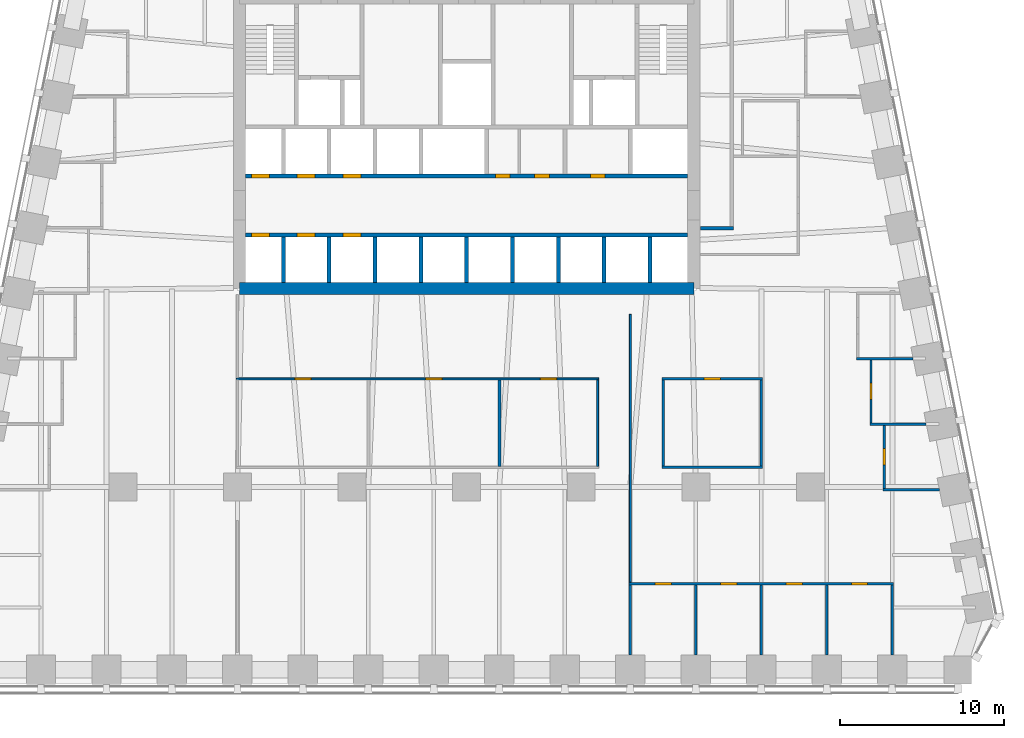
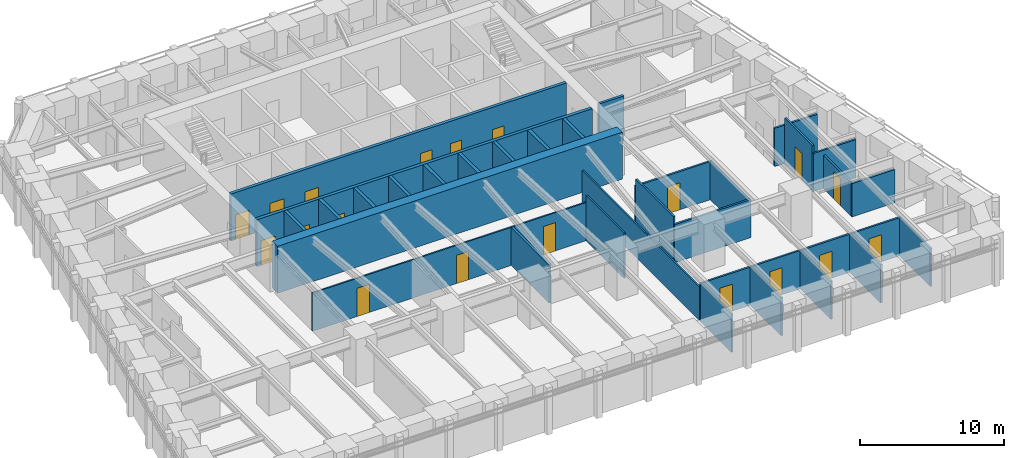
# One storey, part 6 of 10: 32 walls, 19 doors, 19 openings.
"""IFC4 building model written with IfcOpenShell, lengths in metres."""

from ifc_helpers import new_model, si_unit, direction, frame, frame_2d, origin, place, context, subcontext, project, spatial, rectangle, extrude, material, layer, layer_set, type_object, element, fill, save


model = new_model("IFC4")

# Units and contexts
model_context = context("Model", 3, precision=1e-05, world=origin(), true_north=direction((0.0, 1.0)))
body_context = subcontext(model_context, "Body", "Model", "MODEL_VIEW")
ifc_project = project(units=[si_unit("LENGTHUNIT", "METRE"), si_unit("AREAUNIT", "SQUARE_METRE"), si_unit("VOLUMEUNIT", "CUBIC_METRE"), si_unit("PLANEANGLEUNIT", "RADIAN"), si_unit("MASSUNIT", "GRAM", prefix="KILO")], contexts=[model_context])

# Site, building, storey
site_placement = place(None, origin())
site = spatial("IfcSite", under=ifc_project, at=site_placement, CompositionType="ELEMENT")
building_placement = place(site_placement, origin())
building = spatial("IfcBuilding", under=site, at=building_placement, Name="Isbrekke Arena Tower", CompositionType="ELEMENT")
storey_placement = place(building_placement, frame((0.0, 0.0, 159.0)))
storey = spatial("IfcBuildingStorey", under=building, at=storey_placement, Name="L36", CompositionType="ELEMENT", Elevation=159.0)

# Wall
ifc_material_1 = material(Name="Concrete B55 (C55/67)", Category="concrete")
ifc_layer_1 = layer(ifc_material_1, 0.75)
ifc_layer_set_1 = layer_set([ifc_layer_1], Name="CW3 CORE WALL 750")
wall_type_1 = type_object("IfcWallType", Name="CW3 CORE WALL 750", PredefinedType="SHEAR", material=ifc_layer_set_1)
wall_1_placement = place(storey_placement, frame((-13.875, 6.125, 0.0), z_axis=(0.0, 0.0, 1.0), x_axis=(1.0, 0.0, 0.0)))
element("IfcWall", 1, at=wall_1_placement, inside=storey, type_object=wall_type_1, Name="Core wall S L36", PredefinedType="SHEAR", context=body_context, shape_type="SweptSolid", body=[
    extrude(rectangle(XDim=27.75, YDim=0.75, at=frame_2d((13.875, 0.0))), origin(), (0.0, 0.0, 1.0), 4.0),
])

# Wall, openings, doors
ifc_material_2 = material(Name="Concrete B45 (C45/55)", Category="concrete")
ifc_layer_2 = layer(ifc_material_2, 0.25)
ifc_layer_set_2 = layer_set([ifc_layer_2], Name="CW6 SHAFT WALL 250")
wall_type_2 = type_object("IfcWallType", Name="CW6 SHAFT WALL 250", PredefinedType="SHEAR", material=ifc_layer_set_2)
wall_2_placement = place(storey_placement, frame((-13.5, 9.39990234375, 0.0), z_axis=(0.0, 0.0, 1.0), x_axis=(1.0, 0.0, 0.0)))
wall_2 = element("IfcWall", 2, at=wall_2_placement, inside=storey, type_object=wall_type_2, Name="Core wall LS L36", PredefinedType="SHEAR", context=body_context, shape_type="SweptSolid", body=[
    extrude(rectangle(XDim=27.0, YDim=0.25, at=frame_2d((13.5, 0.0))), origin(), (0.0, 0.0, 1.0), 4.0),
])
opening_1_placement = place(wall_2_placement, frame((0.35009765625, 0.0, 0.0)))
opening_1 = element("IfcOpeningElement", 3, at=opening_1_placement, cuts=wall_2, Name="Opening LD1", PredefinedType="OPENING", context=body_context, shape_type="SweptSolid", body=[
    extrude(rectangle(XDim=1.10009765625, YDim=2.10009765625, at=frame_2d((0.550048828125, 1.050048828125))), frame((0.0, 0.139892578125, 0.0), z_axis=(0.0, -1.0, 0.0), x_axis=(1.0, 0.0, 0.0)), (0.0, 0.0, 1.0), 0.27978515625),
])
opening_2_placement = place(wall_2_placement, frame((3.14990234375, 0.0, 0.0)))
opening_2 = element("IfcOpeningElement", 4, at=opening_2_placement, cuts=wall_2, Name="Opening LD1", PredefinedType="OPENING", context=body_context, shape_type="SweptSolid", body=[
    extrude(rectangle(XDim=1.10009765625, YDim=2.10009765625, at=frame_2d((0.550048828125, 1.050048828125))), frame((0.0, 0.139892578125, 0.0), z_axis=(0.0, -1.0, 0.0), x_axis=(1.0, 0.0, 0.0)), (0.0, 0.0, 1.0), 0.27978515625),
])
opening_3_placement = place(wall_2_placement, frame((5.949951171875, 0.0, 0.0)))
opening_3 = element("IfcOpeningElement", 5, at=opening_3_placement, cuts=wall_2, Name="Opening LD1", PredefinedType="OPENING", context=body_context, shape_type="SweptSolid", body=[
    extrude(rectangle(XDim=1.10009765625, YDim=2.10009765625, at=frame_2d((0.550048828125, 1.050048828125))), frame((0.0, 0.139892578125, 0.0), z_axis=(0.0, -1.0, 0.0), x_axis=(1.0, 0.0, 0.0)), (0.0, 0.0, 1.0), 0.27978515625),
])
ifc_material_3 = material(Name="Stainless steel lift landing door", Category="steel")
door_type_1 = type_object("IfcDoorType", Name="LD1 LIFT LANDING DOOR 1100 x 2100", OperationType="SLIDING_TO_LEFT", PredefinedType="DOOR", material=ifc_material_3)
door_1_placement = place(opening_1_placement, origin())
door_1 = element("IfcDoor", 6, at=door_1_placement, inside=storey, type_object=door_type_1, Name="LD1 lift landing door LB L36", OperationType="SLIDING_TO_LEFT", OverallHeight=2.10009765625, OverallWidth=1.10009765625, PredefinedType="DOOR", context=body_context, shape_type="SweptSolid", body=[
    extrude(rectangle(XDim=1.10009765625, YDim=2.10009765625, at=frame_2d((0.550048828125, 1.050048828125))), frame((0.0, 0.124755859375, 0.0), z_axis=(0.0, -1.0, 0.0), x_axis=(1.0, 0.0, 0.0)), (0.0, 0.0, 1.0), 0.24951171875),
])
fill(opening_1, door_1)
door_2_placement = place(opening_2_placement, origin())
door_2 = element("IfcDoor", 7, at=door_2_placement, inside=storey, type_object=door_type_1, Name="LD1 lift landing door LB L36", OperationType="SLIDING_TO_LEFT", OverallHeight=2.10009765625, OverallWidth=1.10009765625, PredefinedType="DOOR", context=body_context, shape_type="SweptSolid", body=[
    extrude(rectangle(XDim=1.10009765625, YDim=2.10009765625, at=frame_2d((0.550048828125, 1.050048828125))), frame((0.0, 0.124755859375, 0.0), z_axis=(0.0, -1.0, 0.0), x_axis=(1.0, 0.0, 0.0)), (0.0, 0.0, 1.0), 0.24951171875),
])
fill(opening_2, door_2)
door_3_placement = place(opening_3_placement, origin())
door_3 = element("IfcDoor", 8, at=door_3_placement, inside=storey, type_object=door_type_1, Name="LD1 lift landing door LB L36", OperationType="SLIDING_TO_LEFT", OverallHeight=2.10009765625, OverallWidth=1.10009765625, PredefinedType="DOOR", context=body_context, shape_type="SweptSolid", body=[
    extrude(rectangle(XDim=1.10009765625, YDim=2.10009765625, at=frame_2d((0.550048828125, 1.050048828125))), frame((0.0, 0.124755859375, 0.0), z_axis=(0.0, -1.0, 0.0), x_axis=(1.0, 0.0, 0.0)), (0.0, 0.0, 1.0), 0.24951171875),
])
fill(opening_3, door_3)

wall_3_placement = place(storey_placement, frame((-13.5, 13.0, 0.0), z_axis=(0.0, 0.0, 1.0), x_axis=(1.0, 0.0, 0.0)))
wall_3 = element("IfcWall", 9, at=wall_3_placement, inside=storey, type_object=wall_type_2, Name="Core wall LN L36", PredefinedType="SHEAR", context=body_context, shape_type="SweptSolid", body=[
    extrude(rectangle(XDim=27.0, YDim=0.25, at=frame_2d((13.5, 0.0))), origin(), (0.0, 0.0, 1.0), 4.0),
])
opening_4_placement = place(wall_3_placement, frame((0.35009765625, 0.0, 0.0)))
opening_4 = element("IfcOpeningElement", 10, at=opening_4_placement, cuts=wall_3, Name="Opening LD1", PredefinedType="OPENING", context=body_context, shape_type="SweptSolid", body=[
    extrude(rectangle(XDim=1.10009765625, YDim=2.10009765625, at=frame_2d((0.550048828125, 1.050048828125))), frame((0.0, 0.139892578125, 0.0), z_axis=(0.0, -1.0, 0.0), x_axis=(1.0, 0.0, 0.0)), (0.0, 0.0, 1.0), 0.27978515625),
])
opening_5_placement = place(wall_3_placement, frame((3.14990234375, 0.0, 0.0)))
opening_5 = element("IfcOpeningElement", 11, at=opening_5_placement, cuts=wall_3, Name="Opening LD1", PredefinedType="OPENING", context=body_context, shape_type="SweptSolid", body=[
    extrude(rectangle(XDim=1.10009765625, YDim=2.10009765625, at=frame_2d((0.550048828125, 1.050048828125))), frame((0.0, 0.139892578125, 0.0), z_axis=(0.0, -1.0, 0.0), x_axis=(1.0, 0.0, 0.0)), (0.0, 0.0, 1.0), 0.27978515625),
])
opening_6_placement = place(wall_3_placement, frame((5.949951171875, 0.0, 0.0)))
opening_6 = element("IfcOpeningElement", 12, at=opening_6_placement, cuts=wall_3, Name="Opening LD1", PredefinedType="OPENING", context=body_context, shape_type="SweptSolid", body=[
    extrude(rectangle(XDim=1.10009765625, YDim=2.10009765625, at=frame_2d((0.550048828125, 1.050048828125))), frame((0.0, 0.139892578125, 0.0), z_axis=(0.0, -1.0, 0.0), x_axis=(1.0, 0.0, 0.0)), (0.0, 0.0, 1.0), 0.27978515625),
])
opening_7_placement = place(wall_3_placement, frame((15.25, 0.0, 0.0)))
opening_7 = element("IfcOpeningElement", 13, at=opening_7_placement, cuts=wall_3, Name="Opening D5", PredefinedType="OPENING", context=body_context, shape_type="SweptSolid", body=[
    extrude(rectangle(XDim=0.89990234375, YDim=2.10009765625, at=frame_2d((0.449951171875, 1.050048828125))), frame((0.0, 0.139892578125, 0.0), z_axis=(0.0, -1.0, 0.0), x_axis=(1.0, 0.0, 0.0)), (0.0, 0.0, 1.0), 0.27978515625),
])
opening_8_placement = place(wall_3_placement, frame((17.64990234375, 0.0, 0.0)))
opening_8 = element("IfcOpeningElement", 14, at=opening_8_placement, cuts=wall_3, Name="Opening D5", PredefinedType="OPENING", context=body_context, shape_type="SweptSolid", body=[
    extrude(rectangle(XDim=0.89990234375, YDim=2.10009765625, at=frame_2d((0.449951171875, 1.050048828125))), frame((0.0, 0.139892578125, 0.0), z_axis=(0.0, -1.0, 0.0), x_axis=(1.0, 0.0, 0.0)), (0.0, 0.0, 1.0), 0.27978515625),
])
opening_9_placement = place(wall_3_placement, frame((21.050048828125, 0.0, 0.0)))
opening_9 = element("IfcOpeningElement", 15, at=opening_9_placement, cuts=wall_3, Name="Opening D5", PredefinedType="OPENING", context=body_context, shape_type="SweptSolid", body=[
    extrude(rectangle(XDim=0.89990234375, YDim=2.10009765625, at=frame_2d((0.449951171875, 1.050048828125))), frame((0.0, 0.139892578125, 0.0), z_axis=(0.0, -1.0, 0.0), x_axis=(1.0, 0.0, 0.0)), (0.0, 0.0, 1.0), 0.27978515625),
])
ifc_material_4 = material(Name="Steel fire door", Category="steel")
door_type_2 = type_object("IfcDoorType", Name="D5 SERVICE DOOR 900 x 2100", OperationType="SINGLE_SWING_LEFT", PredefinedType="DOOR", material=ifc_material_4)
door_4_placement = place(opening_7_placement, origin())
door_4 = element("IfcDoor", 16, at=door_4_placement, inside=storey, type_object=door_type_2, Name="D5 cleaner's store door L36", OperationType="SINGLE_SWING_LEFT", OverallHeight=2.10009765625, OverallWidth=0.89990234375, PredefinedType="DOOR", context=body_context, shape_type="SweptSolid", body=[
    extrude(rectangle(XDim=0.89990234375, YDim=2.10009765625, at=frame_2d((0.449951171875, 1.050048828125))), frame((0.0, 0.124755859375, 0.0), z_axis=(0.0, -1.0, 0.0), x_axis=(1.0, 0.0, 0.0)), (0.0, 0.0, 1.0), 0.24951171875),
])
fill(opening_7, door_4)
door_5_placement = place(opening_8_placement, origin())
door_5 = element("IfcDoor", 17, at=door_5_placement, inside=storey, type_object=door_type_2, Name="D5 tea point door L36", OperationType="SINGLE_SWING_LEFT", OverallHeight=2.10009765625, OverallWidth=0.89990234375, PredefinedType="DOOR", context=body_context, shape_type="SweptSolid", body=[
    extrude(rectangle(XDim=0.89990234375, YDim=2.10009765625, at=frame_2d((0.449951171875, 1.050048828125))), frame((0.0, 0.124755859375, 0.0), z_axis=(0.0, -1.0, 0.0), x_axis=(1.0, 0.0, 0.0)), (0.0, 0.0, 1.0), 0.24951171875),
])
fill(opening_8, door_5)
door_6_placement = place(opening_9_placement, origin())
door_6 = element("IfcDoor", 18, at=door_6_placement, inside=storey, type_object=door_type_2, Name="D5 communications room door L36", OperationType="SINGLE_SWING_LEFT", OverallHeight=2.10009765625, OverallWidth=0.89990234375, PredefinedType="DOOR", context=body_context, shape_type="SweptSolid", body=[
    extrude(rectangle(XDim=0.89990234375, YDim=2.10009765625, at=frame_2d((0.449951171875, 1.050048828125))), frame((0.0, 0.124755859375, 0.0), z_axis=(0.0, -1.0, 0.0), x_axis=(1.0, 0.0, 0.0)), (0.0, 0.0, 1.0), 0.24951171875),
])
fill(opening_9, door_6)
door_7_placement = place(opening_4_placement, origin())
door_7 = element("IfcDoor", 19, at=door_7_placement, inside=storey, type_object=door_type_1, Name="LD1 lift landing door LB L36", OperationType="SLIDING_TO_LEFT", OverallHeight=2.10009765625, OverallWidth=1.10009765625, PredefinedType="DOOR", context=body_context, shape_type="SweptSolid", body=[
    extrude(rectangle(XDim=1.10009765625, YDim=2.10009765625, at=frame_2d((0.550048828125, 1.050048828125))), frame((0.0, 0.124755859375, 0.0), z_axis=(0.0, -1.0, 0.0), x_axis=(1.0, 0.0, 0.0)), (0.0, 0.0, 1.0), 0.24951171875),
])
fill(opening_4, door_7)
door_8_placement = place(opening_5_placement, origin())
door_8 = element("IfcDoor", 20, at=door_8_placement, inside=storey, type_object=door_type_1, Name="LD1 lift landing door LB L36", OperationType="SLIDING_TO_LEFT", OverallHeight=2.10009765625, OverallWidth=1.10009765625, PredefinedType="DOOR", context=body_context, shape_type="SweptSolid", body=[
    extrude(rectangle(XDim=1.10009765625, YDim=2.10009765625, at=frame_2d((0.550048828125, 1.050048828125))), frame((0.0, 0.124755859375, 0.0), z_axis=(0.0, -1.0, 0.0), x_axis=(1.0, 0.0, 0.0)), (0.0, 0.0, 1.0), 0.24951171875),
])
fill(opening_5, door_8)
door_9_placement = place(opening_6_placement, origin())
door_9 = element("IfcDoor", 21, at=door_9_placement, inside=storey, type_object=door_type_1, Name="LD1 lift landing door LB L36", OperationType="SLIDING_TO_LEFT", OverallHeight=2.10009765625, OverallWidth=1.10009765625, PredefinedType="DOOR", context=body_context, shape_type="SweptSolid", body=[
    extrude(rectangle(XDim=1.10009765625, YDim=2.10009765625, at=frame_2d((0.550048828125, 1.050048828125))), frame((0.0, 0.124755859375, 0.0), z_axis=(0.0, -1.0, 0.0), x_axis=(1.0, 0.0, 0.0)), (0.0, 0.0, 1.0), 0.24951171875),
])
fill(opening_6, door_9)

# Walls
for number, where, z_axis, x_axis, name in (
    (22, (-11.199951171875, 6.5, 0.0), (0.0, 0.0, 1.0), (0.0, 1.0, 0.0), "Core wall SS01 L36"),
    (23, (-8.39990234375, 6.5, 0.0), (0.0, 0.0, 1.0), (0.0, 1.0, 0.0), "Core wall SS02 L36"),
    (24, (-5.60009765625, 6.5, 0.0), (0.0, 0.0, 1.0), (0.0, 1.0, 0.0), "Core wall SS03 L36"),
    (25, (-2.800048828125, 6.5, 0.0), (0.0, 0.0, 1.0), (0.0, 1.0, 0.0), "Core wall SS04 L36"),
    (26, (0.0, 6.5, 0.0), (0.0, 0.0, 1.0), (0.0, 1.0, 0.0), "Core wall SS05 L36"),
    (27, (2.800048828125, 6.5, 0.0), (0.0, 0.0, 1.0), (0.0, 1.0, 0.0), "Core wall SS06 L36"),
    (28, (5.60009765625, 6.5, 0.0), (0.0, 0.0, 1.0), (0.0, 1.0, 0.0), "Core wall SS07 L36"),
    (29, (8.39990234375, 6.5, 0.0), (0.0, 0.0, 1.0), (0.0, 1.0, 0.0), "Core wall SS08 L36"),
    (30, (11.199951171875, 6.5, 0.0), (0.0, 0.0, 1.0), (0.0, 1.0, 0.0), "Core wall SS09 L36"),
):
    element("IfcWall", number, at=place(storey_placement, frame(where, z_axis=z_axis, x_axis=x_axis)), inside=storey, type_object=wall_type_2, Name=name, PredefinedType="SHEAR", context=body_context, shape_type="SweptSolid", body=[
        extrude(rectangle(XDim=2.77490234375, YDim=0.25, at=frame_2d((1.387451171875, 0.0))), origin(), (0.0, 0.0, 1.0), 4.0),
    ])

# Wall, openings, doors
ifc_material_5 = material(Name="Gypsum board partition on steel studs", Category="steel")
ifc_layer_3 = layer(ifc_material_5, 0.14990234375)
ifc_layer_set_3 = layer_set([ifc_layer_3], Name="IW1 PARTITION 150")
wall_type_3 = type_object("IfcWallType", Name="IW1 PARTITION 150", PredefinedType="PARTITIONING", material=ifc_layer_set_3)
wall_4_placement = place(storey_placement, frame((9.925048828125, -11.89990234375, 0.0), z_axis=(0.0, 0.0, 1.0), x_axis=(1.0, 0.0, 0.0)))
wall_4 = element("IfcWall", 31, at=wall_4_placement, inside=storey, type_object=wall_type_3, Name="IW1 partition 150 L36", PredefinedType="PARTITIONING", context=body_context, shape_type="SweptSolid", body=[
    extrude(rectangle(XDim=16.14990234375, YDim=0.14990234375, at=frame_2d((8.074951171875, 0.0))), origin(), (0.0, 0.0, 1.0), 3.25),
])
opening_10_placement = place(wall_4_placement, frame((1.574951171875, 0.0, 0.0)))
opening_10 = element("IfcOpeningElement", 32, at=opening_10_placement, cuts=wall_4, Name="Opening D10", PredefinedType="OPENING", context=body_context, shape_type="SweptSolid", body=[
    extrude(rectangle(XDim=1.0, YDim=2.300048828125, at=frame_2d((0.5, 1.14990234375))), frame((0.0, 0.08984375, 0.0), z_axis=(0.0, -1.0, 0.0), x_axis=(1.0, 0.0, 0.0)), (0.0, 0.0, 1.0), 0.1796875),
])
opening_11_placement = place(wall_4_placement, frame((5.574951171875, 0.0, 0.0)))
opening_11 = element("IfcOpeningElement", 33, at=opening_11_placement, cuts=wall_4, Name="Opening D10", PredefinedType="OPENING", context=body_context, shape_type="SweptSolid", body=[
    extrude(rectangle(XDim=1.0, YDim=2.300048828125, at=frame_2d((0.5, 1.14990234375))), frame((0.0, 0.08984375, 0.0), z_axis=(0.0, -1.0, 0.0), x_axis=(1.0, 0.0, 0.0)), (0.0, 0.0, 1.0), 0.1796875),
])
opening_12_placement = place(wall_4_placement, frame((9.574951171875, 0.0, 0.0)))
opening_12 = element("IfcOpeningElement", 34, at=opening_12_placement, cuts=wall_4, Name="Opening D10", PredefinedType="OPENING", context=body_context, shape_type="SweptSolid", body=[
    extrude(rectangle(XDim=1.0, YDim=2.300048828125, at=frame_2d((0.5, 1.14990234375))), frame((0.0, 0.08984375, 0.0), z_axis=(0.0, -1.0, 0.0), x_axis=(1.0, 0.0, 0.0)), (0.0, 0.0, 1.0), 0.1796875),
])
opening_13_placement = place(wall_4_placement, frame((13.574951171875, 0.0, 0.0)))
opening_13 = element("IfcOpeningElement", 35, at=opening_13_placement, cuts=wall_4, Name="Opening D10", PredefinedType="OPENING", context=body_context, shape_type="SweptSolid", body=[
    extrude(rectangle(XDim=1.0, YDim=2.300048828125, at=frame_2d((0.5, 1.14990234375))), frame((0.0, 0.08984375, 0.0), z_axis=(0.0, -1.0, 0.0), x_axis=(1.0, 0.0, 0.0)), (0.0, 0.0, 1.0), 0.1796875),
])
ifc_material_6 = material(Name="Timber door", Category="wood")
door_type_3 = type_object("IfcDoorType", Name="D10 OFFICE DOOR 1000 x 2300", OperationType="SINGLE_SWING_LEFT", PredefinedType="DOOR", material=ifc_material_6)
door_10_placement = place(opening_10_placement, origin())
door_10 = element("IfcDoor", 36, at=door_10_placement, inside=storey, type_object=door_type_3, Name="D10 office door L36", OperationType="SINGLE_SWING_LEFT", OverallHeight=2.300048828125, OverallWidth=1.0, PredefinedType="DOOR", context=body_context, shape_type="SweptSolid", body=[
    extrude(rectangle(XDim=1.0, YDim=2.300048828125, at=frame_2d((0.5, 1.14990234375))), frame((0.0, 0.07470703125, 0.0), z_axis=(0.0, -1.0, 0.0), x_axis=(1.0, 0.0, 0.0)), (0.0, 0.0, 1.0), 0.1494140625),
])
fill(opening_10, door_10)
door_11_placement = place(opening_11_placement, origin())
door_11 = element("IfcDoor", 37, at=door_11_placement, inside=storey, type_object=door_type_3, Name="D10 office door L36", OperationType="SINGLE_SWING_LEFT", OverallHeight=2.300048828125, OverallWidth=1.0, PredefinedType="DOOR", context=body_context, shape_type="SweptSolid", body=[
    extrude(rectangle(XDim=1.0, YDim=2.300048828125, at=frame_2d((0.5, 1.14990234375))), frame((0.0, 0.07470703125, 0.0), z_axis=(0.0, -1.0, 0.0), x_axis=(1.0, 0.0, 0.0)), (0.0, 0.0, 1.0), 0.1494140625),
])
fill(opening_11, door_11)
door_12_placement = place(opening_12_placement, origin())
door_12 = element("IfcDoor", 38, at=door_12_placement, inside=storey, type_object=door_type_3, Name="D10 office door L36", OperationType="SINGLE_SWING_LEFT", OverallHeight=2.300048828125, OverallWidth=1.0, PredefinedType="DOOR", context=body_context, shape_type="SweptSolid", body=[
    extrude(rectangle(XDim=1.0, YDim=2.300048828125, at=frame_2d((0.5, 1.14990234375))), frame((0.0, 0.07470703125, 0.0), z_axis=(0.0, -1.0, 0.0), x_axis=(1.0, 0.0, 0.0)), (0.0, 0.0, 1.0), 0.1494140625),
])
fill(opening_12, door_12)
door_13_placement = place(opening_13_placement, origin())
door_13 = element("IfcDoor", 39, at=door_13_placement, inside=storey, type_object=door_type_3, Name="D10 office door L36", OperationType="SINGLE_SWING_LEFT", OverallHeight=2.300048828125, OverallWidth=1.0, PredefinedType="DOOR", context=body_context, shape_type="SweptSolid", body=[
    extrude(rectangle(XDim=1.0, YDim=2.300048828125, at=frame_2d((0.5, 1.14990234375))), frame((0.0, 0.07470703125, 0.0), z_axis=(0.0, -1.0, 0.0), x_axis=(1.0, 0.0, 0.0)), (0.0, 0.0, 1.0), 0.1494140625),
])
fill(opening_13, door_13)

# Walls
wall_5_placement = place(storey_placement, frame((25.425048828125, -6.159912109375, 0.0), z_axis=(0.0, 0.0, 1.0), x_axis=(1.0, 0.0, 0.0)))
element("IfcWall", 40, at=wall_5_placement, inside=storey, type_object=wall_type_3, Name="IW1 partition 150 L36", PredefinedType="PARTITIONING", context=body_context, shape_type="SweptSolid", body=[
    extrude(rectangle(XDim=3.44775390625, YDim=0.14990234375, at=frame_2d((1.723876953125, 0.0))), origin(), (0.0, 0.0, 1.0), 2.842041015625),
])
wall_6_placement = place(storey_placement, frame((11.925048828125, -4.800048828125, 0.0), z_axis=(0.0, 0.0, 1.0), x_axis=(1.0, 0.0, 0.0)))
element("IfcWall", 41, at=wall_6_placement, inside=storey, type_object=wall_type_3, Name="IW1 partition 150 L36", PredefinedType="PARTITIONING", context=body_context, shape_type="SweptSolid", body=[
    extrude(rectangle(XDim=6.14990234375, YDim=0.14990234375, at=frame_2d((3.074951171875, 0.0))), origin(), (0.0, 0.0, 1.0), 3.25),
])
wall_7_placement = place(storey_placement, frame((24.625, -2.159912109375, 0.0), z_axis=(0.0, 0.0, 1.0), x_axis=(1.0, 0.0, 0.0)))
element("IfcWall", 42, at=wall_7_placement, inside=storey, type_object=wall_type_3, Name="IW1 partition 150 L36", PredefinedType="PARTITIONING", context=body_context, shape_type="SweptSolid", body=[
    extrude(rectangle(XDim=3.44775390625, YDim=0.14990234375, at=frame_2d((1.723876953125, 0.0))), origin(), (0.0, 0.0, 1.0), 3.25),
])

# Wall, opening, door
wall_8_placement = place(storey_placement, frame((11.925048828125, 0.60009765625, 0.0), z_axis=(0.0, 0.0, 1.0), x_axis=(1.0, 0.0, 0.0)))
wall_8 = element("IfcWall", 43, at=wall_8_placement, inside=storey, type_object=wall_type_3, Name="IW1 partition 150 L36", PredefinedType="PARTITIONING", context=body_context, shape_type="SweptSolid", body=[
    extrude(rectangle(XDim=6.14990234375, YDim=0.14990234375, at=frame_2d((3.074951171875, 0.0))), origin(), (0.0, 0.0, 1.0), 3.25),
])
opening_14_placement = place(wall_8_placement, frame((2.574951171875, 0.0, 0.0)))
opening_14 = element("IfcOpeningElement", 44, at=opening_14_placement, cuts=wall_8, Name="Opening D10", PredefinedType="OPENING", context=body_context, shape_type="SweptSolid", body=[
    extrude(rectangle(XDim=1.0, YDim=2.300048828125, at=frame_2d((0.5, 1.14990234375))), frame((0.0, 0.08984375, 0.0), z_axis=(0.0, -1.0, 0.0), x_axis=(1.0, 0.0, 0.0)), (0.0, 0.0, 1.0), 0.1796875),
])
door_14_placement = place(opening_14_placement, origin())
door_14 = element("IfcDoor", 45, at=door_14_placement, inside=storey, type_object=door_type_3, Name="D10 pantry door L36", OperationType="SINGLE_SWING_LEFT", OverallHeight=2.300048828125, OverallWidth=1.0, PredefinedType="DOOR", context=body_context, shape_type="SweptSolid", body=[
    extrude(rectangle(XDim=1.0, YDim=2.300048828125, at=frame_2d((0.5, 1.14990234375))), frame((0.0, 0.07470703125, 0.0), z_axis=(0.0, -1.0, 0.0), x_axis=(1.0, 0.0, 0.0)), (0.0, 0.0, 1.0), 0.1494140625),
])
fill(opening_14, door_14)

# Walls
wall_9_placement = place(storey_placement, frame((23.824951171875, 1.840087890625, 0.0), z_axis=(0.0, 0.0, 1.0), x_axis=(1.0, 0.0, 0.0)))
element("IfcWall", 46, at=wall_9_placement, inside=storey, type_object=wall_type_3, Name="IW1 partition 150 L36", PredefinedType="PARTITIONING", context=body_context, shape_type="SweptSolid", body=[
    extrude(rectangle(XDim=3.44775390625, YDim=0.14990234375, at=frame_2d((1.723876953125, 0.0))), origin(), (0.0, 0.0, 1.0), 3.25),
])
wall_10_placement = place(storey_placement, frame((10.0, -16.27490234375, 0.0), z_axis=(0.0, 0.0, 1.0), x_axis=(0.0, 1.0, 0.0)))
element("IfcWall", 47, at=wall_10_placement, inside=storey, type_object=wall_type_3, Name="IW1 partition 150 L36", PredefinedType="PARTITIONING", context=body_context, shape_type="SweptSolid", body=[
    extrude(rectangle(XDim=4.2998046875, YDim=0.14990234375, at=frame_2d((2.14990234375, 0.0))), origin(), (0.0, 0.0, 1.0), 3.25),
])
wall_11_placement = place(storey_placement, frame((12.0, -4.72509765625, 0.0), z_axis=(0.0, 0.0, 1.0), x_axis=(0.0, 1.0, 0.0)))
element("IfcWall", 48, at=wall_11_placement, inside=storey, type_object=wall_type_3, Name="IW1 partition 150 L36", PredefinedType="PARTITIONING", context=body_context, shape_type="SweptSolid", body=[
    extrude(rectangle(XDim=5.25, YDim=0.14990234375, at=frame_2d((2.625, 0.0))), origin(), (0.0, 0.0, 1.0), 3.85009765625),
])
for number, where, z_axis, x_axis, name in (
    (49, (14.0, -16.27490234375, 0.0), (0.0, 0.0, 1.0), (0.0, 1.0, 0.0), "IW1 partition 150 L36"),
    (50, (18.0, -16.27490234375, 0.0), (0.0, 0.0, 1.0), (0.0, 1.0, 0.0), "IW1 partition 150 L36"),
):
    element("IfcWall", number, at=place(storey_placement, frame(where, z_axis=z_axis, x_axis=x_axis)), inside=storey, type_object=wall_type_3, Name=name, PredefinedType="PARTITIONING", context=body_context, shape_type="SweptSolid", body=[
        extrude(rectangle(XDim=4.2998046875, YDim=0.14990234375, at=frame_2d((2.14990234375, 0.0))), origin(), (0.0, 0.0, 1.0), 3.25),
    ])
wall_12_placement = place(storey_placement, frame((18.0, -4.72509765625, 0.0), z_axis=(0.0, 0.0, 1.0), x_axis=(0.0, 1.0, 0.0)))
element("IfcWall", 51, at=wall_12_placement, inside=storey, type_object=wall_type_3, Name="IW1 partition 150 L36", PredefinedType="PARTITIONING", context=body_context, shape_type="SweptSolid", body=[
    extrude(rectangle(XDim=5.25, YDim=0.14990234375, at=frame_2d((2.625, 0.0))), origin(), (0.0, 0.0, 1.0), 3.25),
])
wall_13_placement = place(storey_placement, frame((22.0, -16.27490234375, 0.0), z_axis=(0.0, 0.0, 1.0), x_axis=(0.0, 1.0, 0.0)))
element("IfcWall", 52, at=wall_13_placement, inside=storey, type_object=wall_type_3, Name="IW1 partition 150 L36", PredefinedType="PARTITIONING", context=body_context, shape_type="SweptSolid", body=[
    extrude(rectangle(XDim=4.2998046875, YDim=0.14990234375, at=frame_2d((2.14990234375, 0.0))), origin(), (0.0, 0.0, 1.0), 3.25),
])

# Wall, opening, door
wall_14_placement = place(storey_placement, frame((24.699951171875, -2.0849609375, 0.0), z_axis=(0.0, 0.0, 1.0), x_axis=(0.0, 1.0, 0.0)))
wall_14 = element("IfcWall", 53, at=wall_14_placement, inside=storey, type_object=wall_type_3, Name="IW1 partition 150 L36", PredefinedType="PARTITIONING", context=body_context, shape_type="SweptSolid", body=[
    extrude(rectangle(XDim=3.849853515625, YDim=0.14990234375, at=frame_2d((1.9248046875, 0.0))), origin(), (0.0, 0.0, 1.0), 3.85009765625),
])
opening_15_placement = place(wall_14_placement, frame((1.425048828125, 0.0, 0.0)))
opening_15 = element("IfcOpeningElement", 54, at=opening_15_placement, cuts=wall_14, Name="Opening D10", PredefinedType="OPENING", context=body_context, shape_type="SweptSolid", body=[
    extrude(rectangle(XDim=1.0, YDim=2.300048828125, at=frame_2d((0.5, 1.14990234375))), frame((0.0, 0.08984375, 0.0), z_axis=(0.0, -1.0, 0.0), x_axis=(1.0, 0.0, 0.0)), (0.0, 0.0, 1.0), 0.1796875),
])
door_15_placement = place(opening_15_placement, origin())
door_15 = element("IfcDoor", 55, at=door_15_placement, inside=storey, type_object=door_type_3, Name="D10 office door L36", OperationType="SINGLE_SWING_LEFT", OverallHeight=2.300048828125, OverallWidth=1.0, PredefinedType="DOOR", context=body_context, shape_type="SweptSolid", body=[
    extrude(rectangle(XDim=1.0, YDim=2.300048828125, at=frame_2d((0.5, 1.14990234375))), frame((0.0, 0.07470703125, 0.0), z_axis=(0.0, -1.0, 0.0), x_axis=(1.0, 0.0, 0.0)), (0.0, 0.0, 1.0), 0.1494140625),
])
fill(opening_15, door_15)

wall_15_placement = place(storey_placement, frame((25.5, -6.0849609375, 0.0), z_axis=(0.0, 0.0, 1.0), x_axis=(0.0, 1.0, 0.0)))
wall_15 = element("IfcWall", 56, at=wall_15_placement, inside=storey, type_object=wall_type_3, Name="IW1 partition 150 L36", PredefinedType="PARTITIONING", context=body_context, shape_type="SweptSolid", body=[
    extrude(rectangle(XDim=3.849853515625, YDim=0.14990234375, at=frame_2d((1.9248046875, 0.0))), origin(), (0.0, 0.0, 1.0), 2.842041015625),
])
opening_16_placement = place(wall_15_placement, frame((1.425048828125, 0.0, 0.0)))
opening_16 = element("IfcOpeningElement", 57, at=opening_16_placement, cuts=wall_15, Name="Opening D10", PredefinedType="OPENING", context=body_context, shape_type="SweptSolid", body=[
    extrude(rectangle(XDim=1.0, YDim=2.300048828125, at=frame_2d((0.5, 1.14990234375))), frame((0.0, 0.08984375, 0.0), z_axis=(0.0, -1.0, 0.0), x_axis=(1.0, 0.0, 0.0)), (0.0, 0.0, 1.0), 0.1796875),
])
door_16_placement = place(opening_16_placement, origin())
door_16 = element("IfcDoor", 58, at=door_16_placement, inside=storey, type_object=door_type_3, Name="D10 office door L36", OperationType="SINGLE_SWING_LEFT", OverallHeight=2.300048828125, OverallWidth=1.0, PredefinedType="DOOR", context=body_context, shape_type="SweptSolid", body=[
    extrude(rectangle(XDim=1.0, YDim=2.300048828125, at=frame_2d((0.5, 1.14990234375))), frame((0.0, 0.07470703125, 0.0), z_axis=(0.0, -1.0, 0.0), x_axis=(1.0, 0.0, 0.0)), (0.0, 0.0, 1.0), 0.1494140625),
])
fill(opening_16, door_16)

# Wall
wall_16_placement = place(storey_placement, frame((26.0, -16.27490234375, 0.0), z_axis=(0.0, 0.0, 1.0), x_axis=(0.0, 1.0, 0.0)))
element("IfcWall", 59, at=wall_16_placement, inside=storey, type_object=wall_type_3, Name="IW1 partition 150 L36", PredefinedType="PARTITIONING", context=body_context, shape_type="SweptSolid", body=[
    extrude(rectangle(XDim=4.2998046875, YDim=0.14990234375, at=frame_2d((2.14990234375, 0.0))), origin(), (0.0, 0.0, 1.0), 3.25),
])

# Wall, openings, doors
ifc_material_7 = material(Name="Frameless glazed partition, laminated acoustic glass", Category="glass")
ifc_layer_4 = layer(ifc_material_7, 0.1201171875)
ifc_layer_set_4 = layer_set([ifc_layer_4], Name="IW2 GLAZED PARTITION 120")
wall_type_4 = type_object("IfcWallType", Name="IW2 GLAZED PARTITION 120", PredefinedType="PARTITIONING", material=ifc_layer_set_4)
wall_17_placement = place(storey_placement, frame((-14.06005859375, 0.60009765625, 0.0), z_axis=(0.0, 0.0, 1.0), x_axis=(1.0, 0.0, 0.0)))
wall_17 = element("IfcWall", 60, at=wall_17_placement, inside=storey, type_object=wall_type_4, Name="IW2 glazed partition 120 L36", PredefinedType="PARTITIONING", context=body_context, shape_type="SweptSolid", body=[
    extrude(rectangle(XDim=22.1201171875, YDim=0.1201171875, at=frame_2d((11.06005859375, 0.0))), origin(), (0.0, 0.0, 1.0), 3.25),
])
opening_17_placement = place(wall_17_placement, frame((3.56005859375, 0.0, 0.0)))
opening_17 = element("IfcOpeningElement", 61, at=opening_17_placement, cuts=wall_17, Name="Opening D11", PredefinedType="OPENING", context=body_context, shape_type="SweptSolid", body=[
    extrude(rectangle(XDim=1.0, YDim=2.39990234375, at=frame_2d((0.5, 1.199951171875))), frame((0.0, 0.074951171875, 0.0), z_axis=(0.0, -1.0, 0.0), x_axis=(1.0, 0.0, 0.0)), (0.0, 0.0, 1.0), 0.14990234375),
])
opening_18_placement = place(wall_17_placement, frame((11.56005859375, 0.0, 0.0)))
opening_18 = element("IfcOpeningElement", 62, at=opening_18_placement, cuts=wall_17, Name="Opening D11", PredefinedType="OPENING", context=body_context, shape_type="SweptSolid", body=[
    extrude(rectangle(XDim=1.0, YDim=2.39990234375, at=frame_2d((0.5, 1.199951171875))), frame((0.0, 0.074951171875, 0.0), z_axis=(0.0, -1.0, 0.0), x_axis=(1.0, 0.0, 0.0)), (0.0, 0.0, 1.0), 0.14990234375),
])
opening_19_placement = place(wall_17_placement, frame((18.56005859375, 0.0, 0.0)))
opening_19 = element("IfcOpeningElement", 63, at=opening_19_placement, cuts=wall_17, Name="Opening D11", PredefinedType="OPENING", context=body_context, shape_type="SweptSolid", body=[
    extrude(rectangle(XDim=1.0, YDim=2.39990234375, at=frame_2d((0.5, 1.199951171875))), frame((0.0, 0.074951171875, 0.0), z_axis=(0.0, -1.0, 0.0), x_axis=(1.0, 0.0, 0.0)), (0.0, 0.0, 1.0), 0.14990234375),
])
ifc_material_8 = material(Name="Frameless glazed door", Category="glass")
door_type_4 = type_object("IfcDoorType", Name="D11 GLAZED MEETING ROOM DOOR 1000 x 2400", OperationType="SINGLE_SWING_RIGHT", PredefinedType="DOOR", material=ifc_material_8)
door_17_placement = place(opening_17_placement, origin())
door_17 = element("IfcDoor", 64, at=door_17_placement, inside=storey, type_object=door_type_4, Name="D11 client meeting room door L36", OperationType="SINGLE_SWING_RIGHT", OverallHeight=2.39990234375, OverallWidth=1.0, PredefinedType="DOOR", context=body_context, shape_type="SweptSolid", body=[
    extrude(rectangle(XDim=1.0, YDim=2.39990234375, at=frame_2d((0.5, 1.199951171875))), frame((0.0, 0.059814453125, 0.0), z_axis=(0.0, -1.0, 0.0), x_axis=(1.0, 0.0, 0.0)), (0.0, 0.0, 1.0), 0.11962890625),
])
fill(opening_17, door_17)
door_18_placement = place(opening_18_placement, origin())
door_18 = element("IfcDoor", 65, at=door_18_placement, inside=storey, type_object=door_type_4, Name="D11 client meeting room door L36", OperationType="SINGLE_SWING_RIGHT", OverallHeight=2.39990234375, OverallWidth=1.0, PredefinedType="DOOR", context=body_context, shape_type="SweptSolid", body=[
    extrude(rectangle(XDim=1.0, YDim=2.39990234375, at=frame_2d((0.5, 1.199951171875))), frame((0.0, 0.059814453125, 0.0), z_axis=(0.0, -1.0, 0.0), x_axis=(1.0, 0.0, 0.0)), (0.0, 0.0, 1.0), 0.11962890625),
])
fill(opening_18, door_18)
door_19_placement = place(opening_19_placement, origin())
door_19 = element("IfcDoor", 66, at=door_19_placement, inside=storey, type_object=door_type_4, Name="D11 client meeting room door L36", OperationType="SINGLE_SWING_RIGHT", OverallHeight=2.39990234375, OverallWidth=1.0, PredefinedType="DOOR", context=body_context, shape_type="SweptSolid", body=[
    extrude(rectangle(XDim=1.0, YDim=2.39990234375, at=frame_2d((0.5, 1.199951171875))), frame((0.0, 0.059814453125, 0.0), z_axis=(0.0, -1.0, 0.0), x_axis=(1.0, 0.0, 0.0)), (0.0, 0.0, 1.0), 0.11962890625),
])
fill(opening_19, door_19)

# Walls
wall_18_placement = place(storey_placement, frame((8.0, -4.739990234375, 0.0), z_axis=(0.0, 0.0, 1.0), x_axis=(0.0, 1.0, 0.0)))
element("IfcWall", 67, at=wall_18_placement, inside=storey, type_object=wall_type_4, Name="IW2 glazed partition 120 L36", PredefinedType="PARTITIONING", context=body_context, shape_type="SweptSolid", body=[
    extrude(rectangle(XDim=5.280029296875, YDim=0.1201171875, at=frame_2d((2.64013671875, 0.0))), origin(), (0.0, 0.0, 1.0), 3.85009765625),
])
wall_19_placement = place(storey_placement, frame((10.0009765625, -11.804931640625, 0.0), z_axis=(0.0, 0.0, 1.0), x_axis=(0.0, 1.0, 0.0)))
element("IfcWall", 68, at=wall_19_placement, inside=storey, type_object=wall_type_4, Name="IW2 glazed partition 120 L36", PredefinedType="PARTITIONING", context=body_context, shape_type="SweptSolid", body=[
    extrude(rectangle(XDim=16.35498046875, YDim=0.1201171875, at=frame_2d((8.177490234375, 0.0))), origin(), (0.0, 0.0, 1.0), 2.842041015625),
])
ifc_material_9 = material(Name="Gypsum board fire-cell wall on steel studs, two layers each side", Category="steel")
ifc_layer_5 = layer(ifc_material_9, 0.199951171875)
ifc_layer_set_5 = layer_set([ifc_layer_5], Name="IW3 FIRE-CELL WALL 200")
wall_type_5 = type_object("IfcWallType", Name="IW3 FIRE-CELL WALL 200", PredefinedType="PARTITIONING", material=ifc_layer_set_5)
wall_20_placement = place(storey_placement, frame((14.280029296875, 9.800048828125, 0.0), z_axis=(0.0, 0.0, 1.0), x_axis=(1.0, 0.0, 0.0)))
element("IfcWall", 69, at=wall_20_placement, inside=storey, type_object=wall_type_5, Name="IW3 fire-cell wall 200 L36", PredefinedType="PARTITIONING", context=body_context, shape_type="SweptSolid", body=[
    extrude(rectangle(XDim=2.02001953125, YDim=0.199951171875, at=frame_2d((1.010009765625, 0.0))), origin(), (0.0, 0.0, 1.0), 3.85009765625),
])
ifc_material_10 = material(Name="Gypsum board acoustic partition on twin steel studs", Category="steel")
ifc_layer_6 = layer(ifc_material_10, 0.175048828125)
ifc_layer_set_6 = layer_set([ifc_layer_6], Name="IW4 ACOUSTIC PARTITION 175")
wall_type_6 = type_object("IfcWallType", Name="IW4 ACOUSTIC PARTITION 175", PredefinedType="PARTITIONING", material=ifc_layer_set_6)
wall_21_placement = place(storey_placement, frame((2.0, -4.739990234375, 0.0), z_axis=(0.0, 0.0, 1.0), x_axis=(0.0, 1.0, 0.0)))
element("IfcWall", 70, at=wall_21_placement, inside=storey, type_object=wall_type_6, Name="IW4 acoustic partition 175 L36", PredefinedType="PARTITIONING", context=body_context, shape_type="SweptSolid", body=[
    extrude(rectangle(XDim=5.280029296875, YDim=0.175048828125, at=frame_2d((2.64013671875, 0.0))), origin(), (0.0, 0.0, 1.0), 3.25),
])

save(model, "model.ifc")
